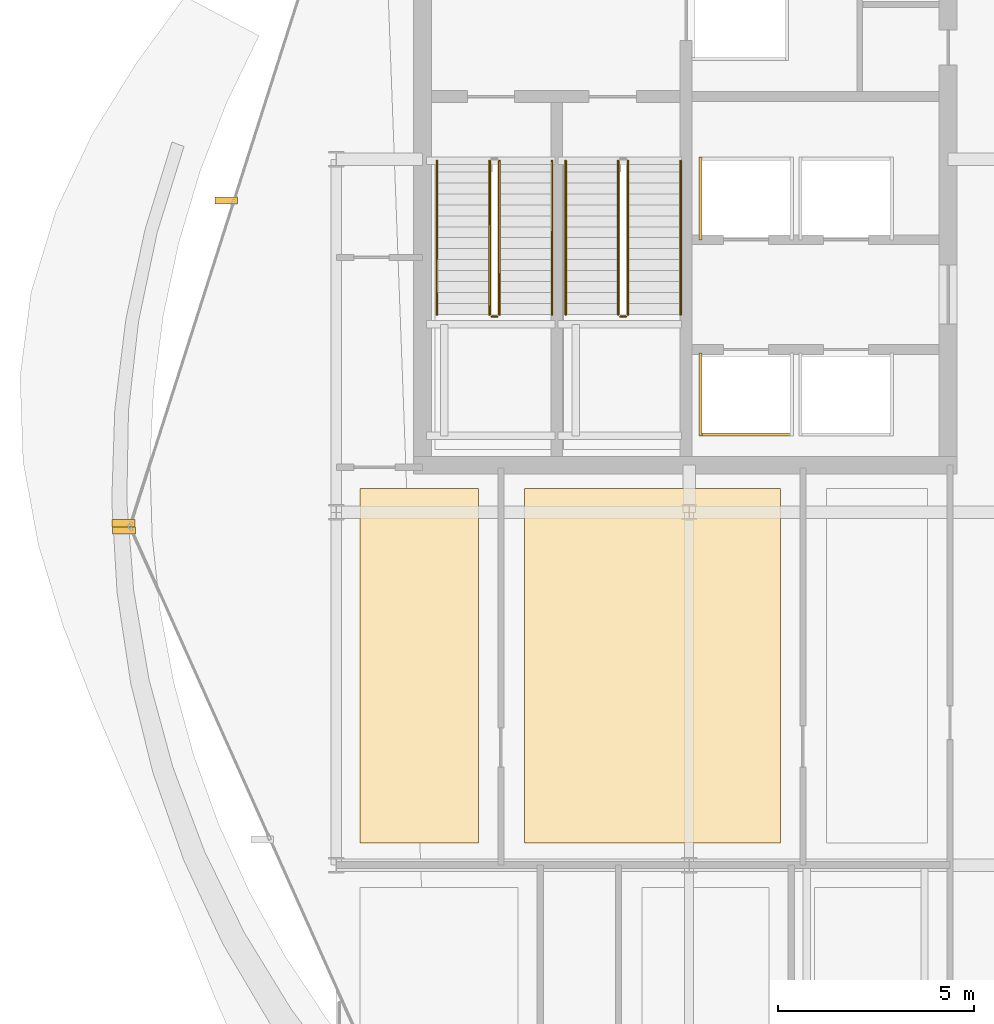
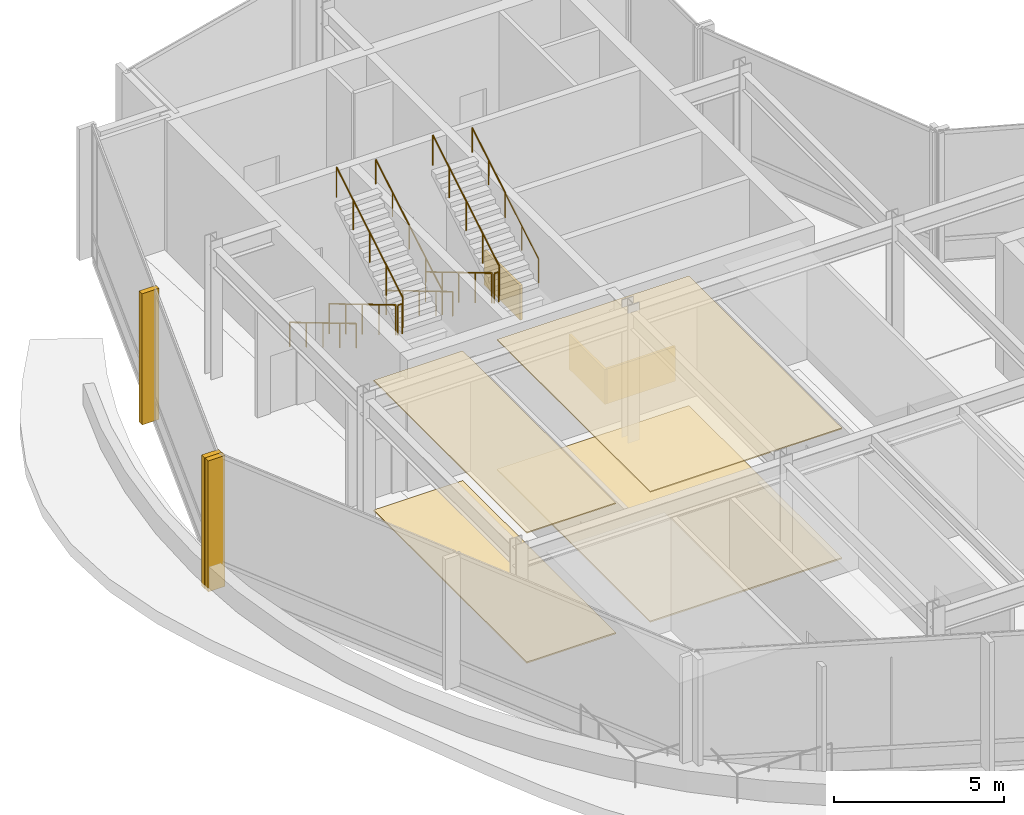
# One storey, part 20 of 23: 10 coverings, 10 railings.
"""IFC4 building model written with IfcOpenShell, lengths in metres."""

from ifc_helpers import new_model, si_unit, direction, frame, origin, origin_2d, place, context, subcontext, project, spatial, polyline, rectangle, circle, outline, extrude, material, layer, layer_set, type_object, element, save


model = new_model("IFC4")

# Units and contexts
model_context = context("Model", 3, precision=1e-05, world=origin(), true_north=direction((0.0, 1.0)))
body_context = subcontext(model_context, "Body", "Model", "MODEL_VIEW")
ifc_project = project(units=[si_unit("LENGTHUNIT", "METRE"), si_unit("AREAUNIT", "SQUARE_METRE"), si_unit("VOLUMEUNIT", "CUBIC_METRE"), si_unit("PLANEANGLEUNIT", "RADIAN"), si_unit("MASSUNIT", "GRAM", prefix="KILO")], contexts=[model_context])

# Site, building, storey
site_placement = place(None, origin())
site = spatial("IfcSite", under=ifc_project, at=site_placement, CompositionType="ELEMENT")
building_placement = place(site_placement, origin())
building = spatial("IfcBuilding", under=site, at=building_placement, Name="Solvaryn Broadcast Tower", CompositionType="ELEMENT")
storey_placement = place(building_placement, frame((0.0, 0.0, 235.800048828125)))
storey = spatial("IfcBuildingStorey", under=building, at=storey_placement, Name="L59", CompositionType="ELEMENT", Elevation=235.800048828125)

# Coverings
ifc_material_1 = material(Name="Micro-Perforated Acoustic Gypsum Ceiling", Category="concrete")
ifc_layer_1 = layer(ifc_material_1, 0.0400390625)
ifc_layer_set_1 = layer_set([ifc_layer_1], Name="CV-CEIL-ACOUSTIC")
covering_type_1 = type_object("IfcCoveringType", Name="CV-CEIL-ACOUSTIC", PredefinedType="CEILING", material=ifc_layer_set_1)
covering_1_placement = place(storey_placement, frame((0.0, 0.0, 4.679931640625)))
element("IfcCovering", 1, at=covering_1_placement, inside=storey, type_object=covering_type_1, Name="L59 Room Acoustic Ceiling 1", PredefinedType="CEILING", context=body_context, shape_type="SweptSolid", body=[
    extrude(outline(polyline([(9.60009765625, 18.570068359375), (12.6298828125, 18.570068359375), (12.6298828125, 27.60009765625), (9.60009765625, 27.60009765625), (9.60009765625, 18.570068359375)])), origin(), (0.0, 0.0, 1.0), 0.0400390625),
])
covering_2_placement = place(storey_placement, frame((0.0, 0.0, 4.679931640625)))
element("IfcCovering", 2, at=covering_2_placement, inside=storey, type_object=covering_type_1, Name="L59 Room Acoustic Ceiling 2", PredefinedType="CEILING", context=body_context, shape_type="SweptSolid", body=[
    extrude(outline(polyline([(13.800048828125, 18.570068359375), (20.330078125, 18.570068359375), (20.330078125, 27.60009765625), (13.800048828125, 27.60009765625), (13.800048828125, 18.570068359375)])), origin(), (0.0, 0.0, 1.0), 0.0400390625),
])
ifc_material_2 = material(Name="Newsroom Raised Data Access Flooring", Category="steel")
ifc_layer_2 = layer(ifc_material_2, 0.050048828125)
ifc_layer_set_2 = layer_set([ifc_layer_2], Name="CV-FLOOR-RAISED")
covering_type_2 = type_object("IfcCoveringType", Name="CV-FLOOR-RAISED", PredefinedType="FLOORING", material=ifc_layer_set_2)
covering_3_placement = place(storey_placement, origin())
element("IfcCovering", 3, at=covering_3_placement, inside=storey, type_object=covering_type_2, Name="L59 Room Acoustic Floor Finish 1", PredefinedType="FLOORING", context=body_context, shape_type="SweptSolid", body=[
    extrude(outline(polyline([(9.60009765625, 18.570068359375), (12.6298828125, 18.570068359375), (12.6298828125, 27.60009765625), (9.60009765625, 27.60009765625), (9.60009765625, 18.570068359375)])), origin(), (0.0, 0.0, 1.0), 0.050048828125),
])
covering_4_placement = place(storey_placement, origin())
element("IfcCovering", 4, at=covering_4_placement, inside=storey, type_object=covering_type_2, Name="L59 Room Acoustic Floor Finish 2", PredefinedType="FLOORING", context=body_context, shape_type="SweptSolid", body=[
    extrude(outline(polyline([(13.800048828125, 18.570068359375), (20.330078125, 18.570068359375), (20.330078125, 27.60009765625), (13.800048828125, 27.60009765625), (13.800048828125, 18.570068359375)])), origin(), (0.0, 0.0, 1.0), 0.050048828125),
])
ifc_material_3 = material(Name="Fire-Rated Gypsum Shaftwall Liner", Category="concrete")
ifc_layer_3 = layer(ifc_material_3, 0.080078125)
ifc_layer_set_3 = layer_set([ifc_layer_3], Name="CV-SHAFT-LINER")
covering_type_3 = type_object("IfcCoveringType", Name="CV-SHAFT-LINER", PredefinedType="CLADDING", material=ifc_layer_set_3)
covering_5_placement = place(storey_placement, frame((19.449951171875, 28.985107421875, 0.0), z_axis=(0.0, 0.0, 1.0), x_axis=(1.0, 0.0, 0.0)))
element("IfcCovering", 5, at=covering_5_placement, inside=storey, type_object=covering_type_3, Name="L59 PH1 Hoistway Shaft Liner South", PredefinedType="CLADDING", context=body_context, shape_type="SweptSolid", body=[
    extrude(rectangle(XDim=2.409912109375, YDim=0.080078125, at=origin_2d()), origin(), (0.0, 0.0, 1.0), 1.25),
])
for number, where, z_axis, x_axis, name in (
    (6, (18.284912109375, 30.0, 0.0), (0.0, 0.0, 1.0), (1.0, 0.0, 0.0), "L59 PH1 Hoistway Shaft Liner West"),
    (7, (18.284912109375, 35.0, 0.0), (0.0, 0.0, 1.0), (1.0, 0.0, 0.0), "L59 PH3 Hoistway Shaft Liner West"),
):
    element("IfcCovering", number, at=place(storey_placement, frame(where, z_axis=z_axis, x_axis=x_axis)), inside=storey, type_object=covering_type_3, Name=name, PredefinedType="CLADDING", context=body_context, shape_type="SweptSolid", body=[
        extrude(rectangle(XDim=0.080078125, YDim=2.110107421875, at=origin_2d()), origin(), (0.0, 0.0, 1.0), 1.25),
    ])
ifc_material_4 = material(Name="Extruded Architectural Terracotta Fin", Category="masonry")
ifc_layer_4 = layer(ifc_material_4, 0.179931640625)
ifc_layer_set_4 = layer_set([ifc_layer_4], Name="CV-TC-FIN")
covering_type_4 = type_object("IfcCoveringType", Name="CV-TC-FIN", PredefinedType="USERDEFINED", material=ifc_layer_set_4)
for number, where, z_axis, x_axis, name in (
    (8, (6.197265625, 34.947265625, 0.0), (0.0, 0.0, 1.0), (1.0, 0.0, 0.0), "L59 Terracotta Vertical Fin FIN-L59-DR1-M01"),
    (9, (3.575439453125, 26.71923828125, 0.0), (0.0, 0.0, 1.0), (1.0, 0.0, 0.0), "L59 Terracotta Vertical Fin FIN-L59-DR1-M02"),
    (10, (3.5859375, 26.53515625, 0.0), (0.0, 0.0, 1.0), (1.0, 0.0, 0.0), "L59 Terracotta Vertical Fin FIN-L59-DR2-M00"),
):
    element("IfcCovering", number, at=place(storey_placement, frame(where, z_axis=z_axis, x_axis=x_axis)), inside=storey, type_object=covering_type_4, Name=name, ObjectType="FIN", PredefinedType="USERDEFINED", context=body_context, shape_type="SweptSolid", body=[
        extrude(rectangle(XDim=0.580078125, YDim=0.179931640625, at=origin_2d()), origin(), (0.0, 0.0, 1.0), 4.719970703125),
    ])

# Railings
ifc_material_5 = material(Name="Painted Steel Stair Well Guard", Category="steel")
railing_type_1 = type_object("IfcRailingType", Name="RL-STAIR-GUARD", PredefinedType="BALUSTRADE", material=ifc_material_5)
railing_1_placement = place(storey_placement, frame((12.909912109375, 35.9599609375, 0.16650390625)))
element("IfcRailing", 11, at=railing_1_placement, inside=storey, type_object=railing_type_1, Name="L59 ST1 stair guard 1", PredefinedType="BALUSTRADE", context=body_context, shape_type="SweptSolid", body=[
    extrude(circle(Radius=0.02392578125, at=origin_2d()), frame((0.0, 0.0, 1.076171875), z_axis=(0.0, -0.859272722373, 0.511517730471), x_axis=(1.0, 0.0, 0.0)), (0.0, 0.0, 1.0), 4.56201171875),
    extrude(circle(Radius=0.02099609375, at=origin_2d()), origin(), (0.0, 0.0, 1.0), 1.052001953125),
    extrude(circle(Radius=0.02099609375, at=origin_2d()), frame((0.0, -0.97998046875, 0.58349609375)), (0.0, 0.0, 1.0), 1.052001953125),
    extrude(circle(Radius=0.02099609375, at=origin_2d()), frame((0.0, -1.9599609375, 1.166748046875)), (0.0, 0.0, 1.0), 1.052001953125),
    extrude(circle(Radius=0.02099609375, at=origin_2d()), frame((0.0, -2.93994140625, 1.75)), (0.0, 0.0, 1.0), 1.052001953125),
    extrude(circle(Radius=0.02099609375, at=origin_2d()), frame((0.0, -3.919921875, 2.33349609375)), (0.0, 0.0, 1.0), 1.052001953125),
])
railing_2_placement = place(storey_placement, frame((12.9599609375, 31.989990234375, 2.5)))
element("IfcRailing", 12, at=railing_2_placement, inside=storey, type_object=railing_type_1, Name="L59 ST1 stair guard 2", PredefinedType="BALUSTRADE", context=body_context, shape_type="SweptSolid", body=[
    extrude(circle(Radius=0.02392578125, at=origin_2d()), frame((0.0, 0.0, 1.076171875), z_axis=(1.0, 0.0, 0.0), x_axis=(0.0, 1.0, 0.0)), (0.0, 0.0, 1.0), 0.150146484375),
    extrude(circle(Radius=0.02099609375, at=origin_2d()), origin(), (0.0, 0.0, 1.0), 1.052001953125),
    extrude(circle(Radius=0.02099609375, at=origin_2d()), frame((0.150146484375, 0.0, 0.0)), (0.0, 0.0, 1.0), 1.052001953125),
])
railing_3_placement = place(storey_placement, frame((13.159912109375, 32.0400390625, 2.66650390625)))
element("IfcRailing", 13, at=railing_3_placement, inside=storey, type_object=railing_type_1, Name="L59 ST1 stair guard 3", PredefinedType="BALUSTRADE", context=body_context, shape_type="SweptSolid", body=[
    extrude(circle(Radius=0.02392578125, at=origin_2d()), frame((0.0, 0.0, 1.076171875), z_axis=(0.0, 0.859272722373, 0.511517730471), x_axis=(-1.0, 0.0, 0.0)), (0.0, 0.0, 1.0), 4.56201171875),
    extrude(circle(Radius=0.02099609375, at=origin_2d()), origin(), (0.0, 0.0, 1.0), 1.052001953125),
    extrude(circle(Radius=0.02099609375, at=origin_2d()), frame((0.0, 0.97998046875, 0.58349609375)), (0.0, 0.0, 1.0), 1.052001953125),
    extrude(circle(Radius=0.02099609375, at=origin_2d()), frame((0.0, 1.9599609375, 1.166748046875)), (0.0, 0.0, 1.0), 1.052001953125),
    extrude(circle(Radius=0.02099609375, at=origin_2d()), frame((0.0, 2.93994140625, 1.75)), (0.0, 0.0, 1.0), 1.052001953125),
    extrude(circle(Radius=0.02099609375, at=origin_2d()), frame((0.0, 3.919921875, 2.33349609375)), (0.0, 0.0, 1.0), 1.052001953125),
])
railing_4_placement = place(storey_placement, frame((16.18994140625, 35.9599609375, 0.16650390625)))
element("IfcRailing", 14, at=railing_4_placement, inside=storey, type_object=railing_type_1, Name="L59 ST2 stair guard 1", PredefinedType="BALUSTRADE", context=body_context, shape_type="SweptSolid", body=[
    extrude(circle(Radius=0.02392578125, at=origin_2d()), frame((0.0, 0.0, 1.076171875), z_axis=(0.0, -0.859272722373, 0.511517730471), x_axis=(1.0, 0.0, 0.0)), (0.0, 0.0, 1.0), 4.56201171875),
    extrude(circle(Radius=0.02099609375, at=origin_2d()), origin(), (0.0, 0.0, 1.0), 1.052001953125),
    extrude(circle(Radius=0.02099609375, at=origin_2d()), frame((0.0, -0.97998046875, 0.58349609375)), (0.0, 0.0, 1.0), 1.052001953125),
    extrude(circle(Radius=0.02099609375, at=origin_2d()), frame((0.0, -1.9599609375, 1.166748046875)), (0.0, 0.0, 1.0), 1.052001953125),
    extrude(circle(Radius=0.02099609375, at=origin_2d()), frame((0.0, -2.93994140625, 1.75)), (0.0, 0.0, 1.0), 1.052001953125),
    extrude(circle(Radius=0.02099609375, at=origin_2d()), frame((0.0, -3.919921875, 2.33349609375)), (0.0, 0.0, 1.0), 1.052001953125),
])
railing_5_placement = place(storey_placement, frame((16.239990234375, 31.989990234375, 2.5)))
element("IfcRailing", 15, at=railing_5_placement, inside=storey, type_object=railing_type_1, Name="L59 ST2 stair guard 2", PredefinedType="BALUSTRADE", context=body_context, shape_type="SweptSolid", body=[
    extrude(circle(Radius=0.02392578125, at=origin_2d()), frame((0.0, 0.0, 1.076171875), z_axis=(1.0, 0.0, 0.0), x_axis=(0.0, 1.0, 0.0)), (0.0, 0.0, 1.0), 0.14990234375),
    extrude(circle(Radius=0.02099609375, at=origin_2d()), origin(), (0.0, 0.0, 1.0), 1.052001953125),
    extrude(circle(Radius=0.02099609375, at=origin_2d()), frame((0.14990234375, 0.0, 0.0)), (0.0, 0.0, 1.0), 1.052001953125),
])
railing_6_placement = place(storey_placement, frame((16.43994140625, 32.0400390625, 2.66650390625)))
element("IfcRailing", 16, at=railing_6_placement, inside=storey, type_object=railing_type_1, Name="L59 ST2 stair guard 3", PredefinedType="BALUSTRADE", context=body_context, shape_type="SweptSolid", body=[
    extrude(circle(Radius=0.02392578125, at=origin_2d()), frame((0.0, 0.0, 1.076171875), z_axis=(0.0, 0.859272722373, 0.511517730471), x_axis=(-1.0, 0.0, 0.0)), (0.0, 0.0, 1.0), 4.56201171875),
    extrude(circle(Radius=0.02099609375, at=origin_2d()), origin(), (0.0, 0.0, 1.0), 1.052001953125),
    extrude(circle(Radius=0.02099609375, at=origin_2d()), frame((0.0, 0.97998046875, 0.58349609375)), (0.0, 0.0, 1.0), 1.052001953125),
    extrude(circle(Radius=0.02099609375, at=origin_2d()), frame((0.0, 1.9599609375, 1.166748046875)), (0.0, 0.0, 1.0), 1.052001953125),
    extrude(circle(Radius=0.02099609375, at=origin_2d()), frame((0.0, 2.93994140625, 1.75)), (0.0, 0.0, 1.0), 1.052001953125),
    extrude(circle(Radius=0.02099609375, at=origin_2d()), frame((0.0, 3.919921875, 2.33349609375)), (0.0, 0.0, 1.0), 1.052001953125),
])
ifc_material_6 = material(Name="Brushed Stainless Steel Tubular Handrail", Category="steel")
railing_type_2 = type_object("IfcRailingType", Name="RL-STAIR-HANDRAIL", PredefinedType="HANDRAIL", material=ifc_material_6)
railing_7_placement = place(storey_placement, frame((11.570068359375, 35.9599609375, 0.16650390625)))
element("IfcRailing", 17, at=railing_7_placement, inside=storey, type_object=railing_type_2, Name="L59 ST1 stair handrail 1", PredefinedType="HANDRAIL", context=body_context, shape_type="SweptSolid", body=[
    extrude(circle(Radius=0.02392578125, at=origin_2d()), frame((0.0, 0.0, 0.8759765625), z_axis=(0.0, -0.859272722373, 0.511517730471), x_axis=(1.0, 0.0, 0.0)), (0.0, 0.0, 1.0), 4.56201171875),
    extrude(circle(Radius=0.02099609375, at=origin_2d()), origin(), (0.0, 0.0, 1.0), 0.851806640625),
    extrude(circle(Radius=0.02099609375, at=origin_2d()), frame((0.0, -0.97998046875, 0.58349609375)), (0.0, 0.0, 1.0), 0.851806640625),
    extrude(circle(Radius=0.02099609375, at=origin_2d()), frame((0.0, -1.9599609375, 1.166748046875)), (0.0, 0.0, 1.0), 0.851806640625),
    extrude(circle(Radius=0.02099609375, at=origin_2d()), frame((0.0, -2.93994140625, 1.75)), (0.0, 0.0, 1.0), 0.851806640625),
    extrude(circle(Radius=0.02099609375, at=origin_2d()), frame((0.0, -3.919921875, 2.33349609375)), (0.0, 0.0, 1.0), 0.851806640625),
])
railing_8_placement = place(storey_placement, frame((14.5, 32.0400390625, 2.66650390625)))
element("IfcRailing", 18, at=railing_8_placement, inside=storey, type_object=railing_type_2, Name="L59 ST1 stair handrail 2", PredefinedType="HANDRAIL", context=body_context, shape_type="SweptSolid", body=[
    extrude(circle(Radius=0.02392578125, at=origin_2d()), frame((0.0, 0.0, 0.8759765625), z_axis=(0.0, 0.859272722373, 0.511517730471), x_axis=(-1.0, 0.0, 0.0)), (0.0, 0.0, 1.0), 4.56201171875),
    extrude(circle(Radius=0.02099609375, at=origin_2d()), origin(), (0.0, 0.0, 1.0), 0.851806640625),
    extrude(circle(Radius=0.02099609375, at=origin_2d()), frame((0.0, 0.97998046875, 0.58349609375)), (0.0, 0.0, 1.0), 0.851806640625),
    extrude(circle(Radius=0.02099609375, at=origin_2d()), frame((0.0, 1.9599609375, 1.166748046875)), (0.0, 0.0, 1.0), 0.851806640625),
    extrude(circle(Radius=0.02099609375, at=origin_2d()), frame((0.0, 2.93994140625, 1.75)), (0.0, 0.0, 1.0), 0.851806640625),
    extrude(circle(Radius=0.02099609375, at=origin_2d()), frame((0.0, 3.919921875, 2.33349609375)), (0.0, 0.0, 1.0), 0.851806640625),
])
railing_9_placement = place(storey_placement, frame((14.85009765625, 35.9599609375, 0.16650390625)))
element("IfcRailing", 19, at=railing_9_placement, inside=storey, type_object=railing_type_2, Name="L59 ST2 stair handrail 1", PredefinedType="HANDRAIL", context=body_context, shape_type="SweptSolid", body=[
    extrude(circle(Radius=0.02392578125, at=origin_2d()), frame((0.0, 0.0, 0.8759765625), z_axis=(0.0, -0.859272722373, 0.511517730471), x_axis=(1.0, 0.0, 0.0)), (0.0, 0.0, 1.0), 4.56201171875),
    extrude(circle(Radius=0.02099609375, at=origin_2d()), origin(), (0.0, 0.0, 1.0), 0.851806640625),
    extrude(circle(Radius=0.02099609375, at=origin_2d()), frame((0.0, -0.97998046875, 0.58349609375)), (0.0, 0.0, 1.0), 0.851806640625),
    extrude(circle(Radius=0.02099609375, at=origin_2d()), frame((0.0, -1.9599609375, 1.166748046875)), (0.0, 0.0, 1.0), 0.851806640625),
    extrude(circle(Radius=0.02099609375, at=origin_2d()), frame((0.0, -2.93994140625, 1.75)), (0.0, 0.0, 1.0), 0.851806640625),
    extrude(circle(Radius=0.02099609375, at=origin_2d()), frame((0.0, -3.919921875, 2.33349609375)), (0.0, 0.0, 1.0), 0.851806640625),
])
railing_10_placement = place(storey_placement, frame((17.780029296875, 32.0400390625, 2.66650390625)))
element("IfcRailing", 20, at=railing_10_placement, inside=storey, type_object=railing_type_2, Name="L59 ST2 stair handrail 2", PredefinedType="HANDRAIL", context=body_context, shape_type="SweptSolid", body=[
    extrude(circle(Radius=0.02392578125, at=origin_2d()), frame((0.0, 0.0, 0.8759765625), z_axis=(0.0, 0.859272722373, 0.511517730471), x_axis=(-1.0, 0.0, 0.0)), (0.0, 0.0, 1.0), 4.56201171875),
    extrude(circle(Radius=0.02099609375, at=origin_2d()), origin(), (0.0, 0.0, 1.0), 0.851806640625),
    extrude(circle(Radius=0.02099609375, at=origin_2d()), frame((0.0, 0.97998046875, 0.58349609375)), (0.0, 0.0, 1.0), 0.851806640625),
    extrude(circle(Radius=0.02099609375, at=origin_2d()), frame((0.0, 1.9599609375, 1.166748046875)), (0.0, 0.0, 1.0), 0.851806640625),
    extrude(circle(Radius=0.02099609375, at=origin_2d()), frame((0.0, 2.93994140625, 1.75)), (0.0, 0.0, 1.0), 0.851806640625),
    extrude(circle(Radius=0.02099609375, at=origin_2d()), frame((0.0, 3.919921875, 2.33349609375)), (0.0, 0.0, 1.0), 0.851806640625),
])

save(model, "model.ifc")
